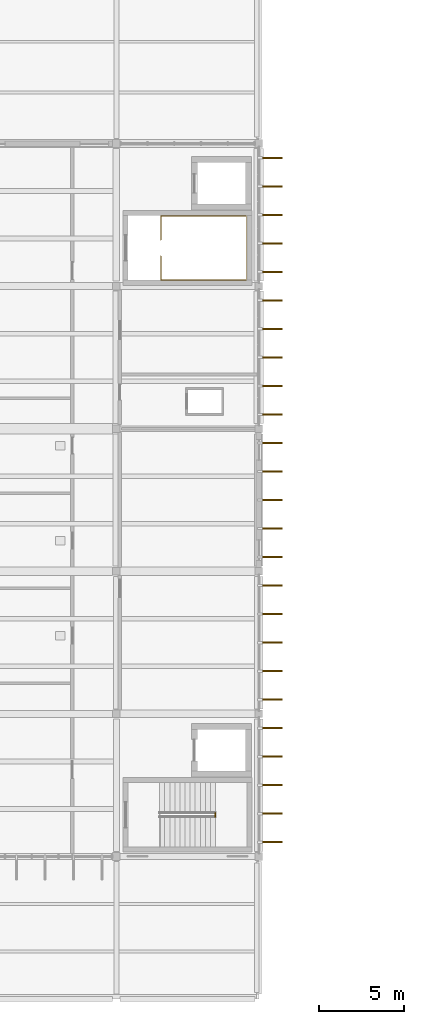
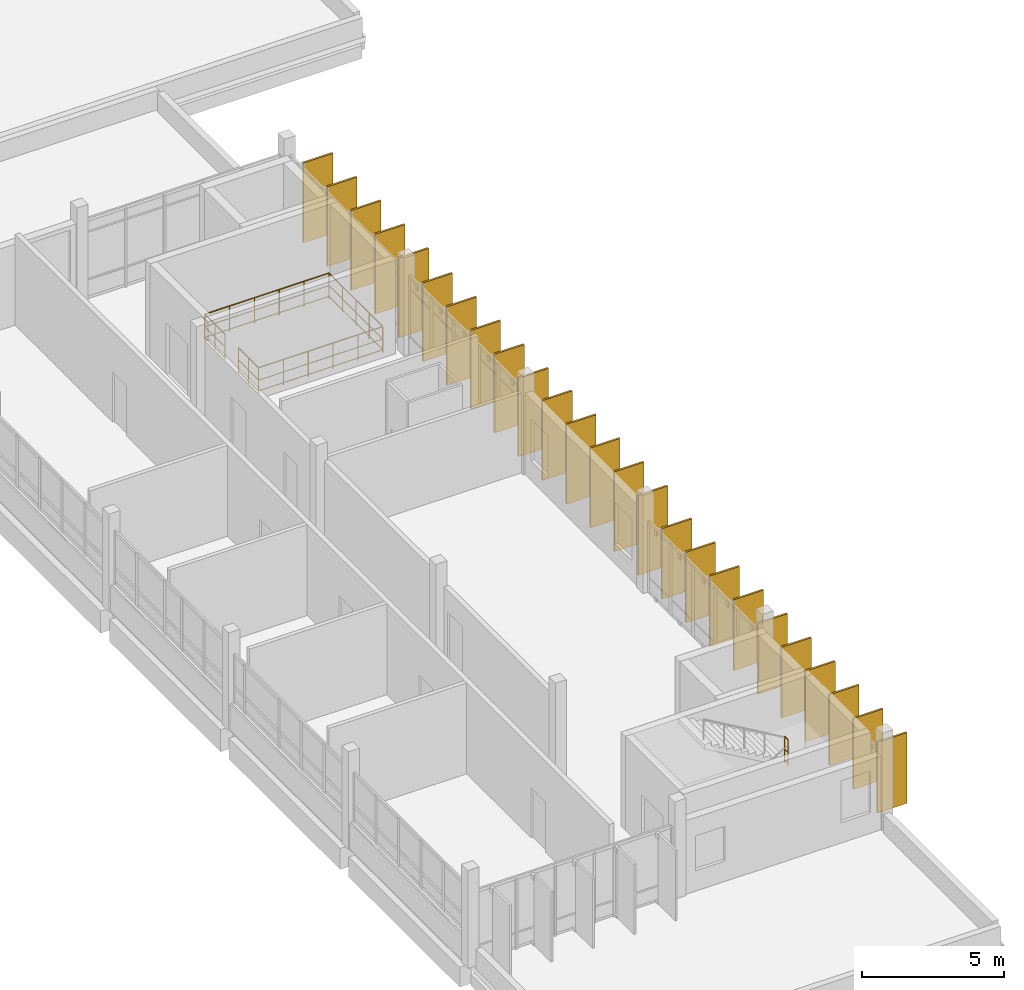
# One storey, part 60 of 62: 25 shading devices, 2 railings.
"""IFC4 building model written with IfcOpenShell, lengths in metres."""

from ifc_helpers import new_model, si_unit, direction, frame, origin, origin_2d, place, context, subcontext, project, spatial, rectangle, circle, extrude, material, material_profile, profile_set, type_object, element, save


model = new_model("IFC4")

# Units and contexts
model_context = context("Model", 3, precision=1e-05, world=origin(), true_north=direction((0.0, 1.0)))
body_context = subcontext(model_context, "Body", "Model", "MODEL_VIEW")
ifc_project = project(units=[si_unit("LENGTHUNIT", "METRE"), si_unit("AREAUNIT", "SQUARE_METRE"), si_unit("VOLUMEUNIT", "CUBIC_METRE"), si_unit("PLANEANGLEUNIT", "RADIAN"), si_unit("MASSUNIT", "GRAM", prefix="KILO")], contexts=[model_context])

# Site, building, storey
site_placement = place(None, origin())
site = spatial("IfcSite", under=ifc_project, at=site_placement, CompositionType="ELEMENT")
building_placement = place(site_placement, origin())
building = spatial("IfcBuilding", under=site, at=building_placement, Name="Vireocrest Preparatory School", CompositionType="ELEMENT")
storey_placement = place(building_placement, frame((0.0, 0.0, 17.39990234375)))
storey = spatial("IfcBuildingStorey", under=building, at=storey_placement, Name="L04", CompositionType="ELEMENT", Elevation=17.39990234375)

# Railings
ifc_material_1 = material(Name="Brushed stainless steel AISI 316", Category="steel")
railing_type = type_object("IfcRailingType", Name="Post-and-Rail Guard Balustrade 1120", PredefinedType="BALUSTRADE", material=ifc_material_1)
railing_1_placement = place(storey_placement, frame((106.6298828125, 46.1298828125, 2.10009765625)))
element("IfcRailing", 1, at=railing_1_placement, inside=storey, type_object=railing_type, Name="Half-Landing Well Guard ST2-L04", PredefinedType="BALUSTRADE", context=body_context, shape_type="SweptSolid", body=[
    extrude(circle(Radius=0.02392578125, at=origin_2d()), frame((0.0, 0.0, 1.09619140625), z_axis=(0.0, 1.0, 0.0), x_axis=(-1.0, 0.0, 0.0)), (0.0, 0.0, 1.0), 0.240234375),
    extrude(circle(Radius=0.01806640625, at=origin_2d()), frame((0.0, 0.0, 0.56005859375), z_axis=(0.0, 1.0, 0.0), x_axis=(-1.0, 0.0, 0.0)), (0.0, 0.0, 1.0), 0.240234375),
    extrude(circle(Radius=0.01806640625, at=origin_2d()), frame((0.0, 0.0, 0.10009765625), z_axis=(0.0, 1.0, 0.0), x_axis=(-1.0, 0.0, 0.0)), (0.0, 0.0, 1.0), 0.240234375),
    extrude(circle(Radius=0.02099609375, at=origin_2d()), origin(), (0.0, 0.0, 1.0), 1.072021484375),
    extrude(circle(Radius=0.02099609375, at=origin_2d()), frame((0.0, 0.240234375, 0.0)), (0.0, 0.0, 1.0), 1.072021484375),
])
railing_2_placement = place(storey_placement, frame((103.425048828125, 80.1201171875, 0.0)))
element("IfcRailing", 2, at=railing_2_placement, inside=storey, type_object=railing_type, Name="Top Stairwell Perimeter Guard ST4 L04", PredefinedType="BALUSTRADE", context=body_context, shape_type="SweptSolid", body=[
    extrude(circle(Radius=0.02392578125, at=origin_2d()), frame((0.0, 0.0, 1.09619140625), z_axis=(0.0, 1.0, 0.0), x_axis=(-1.0, 0.0, 0.0)), (0.0, 0.0, 1.0), 1.419921875),
    extrude(circle(Radius=0.01806640625, at=origin_2d()), frame((0.0, 0.0, 0.56005859375), z_axis=(0.0, 1.0, 0.0), x_axis=(-1.0, 0.0, 0.0)), (0.0, 0.0, 1.0), 1.419921875),
    extrude(circle(Radius=0.01806640625, at=origin_2d()), frame((0.0, 0.0, 0.10009765625), z_axis=(0.0, 1.0, 0.0), x_axis=(-1.0, 0.0, 0.0)), (0.0, 0.0, 1.0), 1.419921875),
    extrude(circle(Radius=0.02392578125, at=origin_2d()), frame((0.0, 1.419921875, 1.09619140625), z_axis=(1.0, 0.0, 0.0), x_axis=(0.0, 1.0, 0.0)), (0.0, 0.0, 1.0), 5.034912109375),
    extrude(circle(Radius=0.01806640625, at=origin_2d()), frame((0.0, 1.419921875, 0.56005859375), z_axis=(1.0, 0.0, 0.0), x_axis=(0.0, 1.0, 0.0)), (0.0, 0.0, 1.0), 5.034912109375),
    extrude(circle(Radius=0.01806640625, at=origin_2d()), frame((0.0, 1.419921875, 0.10009765625), z_axis=(1.0, 0.0, 0.0), x_axis=(0.0, 1.0, 0.0)), (0.0, 0.0, 1.0), 5.034912109375),
    extrude(circle(Radius=0.02392578125, at=origin_2d()), frame((5.034912109375, 1.419921875, 1.09619140625), z_axis=(0.0, -1.0, 0.0), x_axis=(1.0, 0.0, 0.0)), (0.0, 0.0, 1.0), 3.780029296875),
    extrude(circle(Radius=0.01806640625, at=origin_2d()), frame((5.034912109375, 1.419921875, 0.56005859375), z_axis=(0.0, -1.0, 0.0), x_axis=(1.0, 0.0, 0.0)), (0.0, 0.0, 1.0), 3.780029296875),
    extrude(circle(Radius=0.01806640625, at=origin_2d()), frame((5.034912109375, 1.419921875, 0.10009765625), z_axis=(0.0, -1.0, 0.0), x_axis=(1.0, 0.0, 0.0)), (0.0, 0.0, 1.0), 3.780029296875),
    extrude(circle(Radius=0.02392578125, at=origin_2d()), frame((5.034912109375, -2.360107421875, 1.09619140625), z_axis=(-1.0, 0.0, 0.0), x_axis=(0.0, -1.0, 0.0)), (0.0, 0.0, 1.0), 5.034912109375),
    extrude(circle(Radius=0.01806640625, at=origin_2d()), frame((5.034912109375, -2.360107421875, 0.56005859375), z_axis=(-1.0, 0.0, 0.0), x_axis=(0.0, -1.0, 0.0)), (0.0, 0.0, 1.0), 5.034912109375),
    extrude(circle(Radius=0.01806640625, at=origin_2d()), frame((5.034912109375, -2.360107421875, 0.10009765625), z_axis=(-1.0, 0.0, 0.0), x_axis=(0.0, -1.0, 0.0)), (0.0, 0.0, 1.0), 5.034912109375),
    extrude(circle(Radius=0.02392578125, at=origin_2d()), frame((0.0, -2.360107421875, 1.09619140625), z_axis=(0.0, 1.0, 0.0), x_axis=(-1.0, 0.0, 0.0)), (0.0, 0.0, 1.0), 1.419921875),
    extrude(circle(Radius=0.01806640625, at=origin_2d()), frame((0.0, -2.360107421875, 0.56005859375), z_axis=(0.0, 1.0, 0.0), x_axis=(-1.0, 0.0, 0.0)), (0.0, 0.0, 1.0), 1.419921875),
    extrude(circle(Radius=0.01806640625, at=origin_2d()), frame((0.0, -2.360107421875, 0.10009765625), z_axis=(0.0, 1.0, 0.0), x_axis=(-1.0, 0.0, 0.0)), (0.0, 0.0, 1.0), 1.419921875),
    extrude(circle(Radius=0.02099609375, at=origin_2d()), origin(), (0.0, 0.0, 1.0), 1.072021484375),
    extrude(circle(Radius=0.02099609375, at=origin_2d()), frame((0.0, 0.7099609375, 0.0)), (0.0, 0.0, 1.0), 1.072021484375),
    extrude(circle(Radius=0.02099609375, at=origin_2d()), frame((0.0, 1.419921875, 0.0)), (0.0, 0.0, 1.0), 1.072021484375),
    extrude(circle(Radius=0.02099609375, at=origin_2d()), frame((1.007080078125, 1.419921875, 0.0)), (0.0, 0.0, 1.0), 1.072021484375),
    extrude(circle(Radius=0.02099609375, at=origin_2d()), frame((2.013916015625, 1.419921875, 0.0)), (0.0, 0.0, 1.0), 1.072021484375),
    extrude(circle(Radius=0.02099609375, at=origin_2d()), frame((3.02099609375, 1.419921875, 0.0)), (0.0, 0.0, 1.0), 1.072021484375),
    extrude(circle(Radius=0.02099609375, at=origin_2d()), frame((4.02783203125, 1.419921875, 0.0)), (0.0, 0.0, 1.0), 1.072021484375),
    extrude(circle(Radius=0.02099609375, at=origin_2d()), frame((5.034912109375, 1.419921875, 0.0)), (0.0, 0.0, 1.0), 1.072021484375),
    extrude(circle(Radius=0.02099609375, at=origin_2d()), frame((5.034912109375, 0.474853515625, 0.0)), (0.0, 0.0, 1.0), 1.072021484375),
    extrude(circle(Radius=0.02099609375, at=origin_2d()), frame((5.034912109375, -0.47021484375, 0.0)), (0.0, 0.0, 1.0), 1.072021484375),
    extrude(circle(Radius=0.02099609375, at=origin_2d()), frame((5.034912109375, -1.4150390625, 0.0)), (0.0, 0.0, 1.0), 1.072021484375),
    extrude(circle(Radius=0.02099609375, at=origin_2d()), frame((5.034912109375, -2.360107421875, 0.0)), (0.0, 0.0, 1.0), 1.072021484375),
    extrude(circle(Radius=0.02099609375, at=origin_2d()), frame((4.02783203125, -2.360107421875, 0.0)), (0.0, 0.0, 1.0), 1.072021484375),
    extrude(circle(Radius=0.02099609375, at=origin_2d()), frame((3.02099609375, -2.360107421875, 0.0)), (0.0, 0.0, 1.0), 1.072021484375),
    extrude(circle(Radius=0.02099609375, at=origin_2d()), frame((2.013916015625, -2.360107421875, 0.0)), (0.0, 0.0, 1.0), 1.072021484375),
    extrude(circle(Radius=0.02099609375, at=origin_2d()), frame((1.007080078125, -2.360107421875, 0.0)), (0.0, 0.0, 1.0), 1.072021484375),
    extrude(circle(Radius=0.02099609375, at=origin_2d()), frame((0.0, -2.360107421875, 0.0)), (0.0, 0.0, 1.0), 1.072021484375),
    extrude(circle(Radius=0.02099609375, at=origin_2d()), frame((0.0, -1.650146484375, 0.0)), (0.0, 0.0, 1.0), 1.072021484375),
    extrude(circle(Radius=0.02099609375, at=origin_2d()), frame((0.0, -0.940185546875, 0.0)), (0.0, 0.0, 1.0), 1.072021484375),
])

# Shading devices
ifc_material_2 = material(Name="Warm anodised aluminium EN AW-6063-T6", Category="aluminium")
ifc_material_profile = material_profile(ifc_material_2, rectangle(XDim=0.080078125, YDim=1.199951171875, at=origin_2d()), Name="FIN 80x1200")
ifc_profile_set = profile_set([ifc_material_profile], Name="Warm anodised aluminium EN AW-6063-T6")
shading_device_type = type_object("IfcShadingDeviceType", Name="Vertical Anodised Aluminium Solar Fin 1200", PredefinedType="USERDEFINED", material=ifc_profile_set)
for number, where, z_axis, x_axis, name in (
    (3, (109.97998046875, 44.639892578125, 0.02001953125), (0.0, 0.0, 1.0), (0.0, -1.0, 0.0), "Vertical Solar Fin FN1 L04-57-1"),
    (4, (109.97998046875, 46.320068359375, 0.02001953125), (0.0, 0.0, 1.0), (0.0, -1.0, 0.0), "Vertical Solar Fin FN1 L04-57-2"),
    (5, (109.97998046875, 48.0, 0.02001953125), (0.0, 0.0, 1.0), (0.0, -1.0, 0.0), "Vertical Solar Fin FN1 L04-57-3"),
    (6, (109.97998046875, 49.679931640625, 0.02001953125), (0.0, 0.0, 1.0), (0.0, -1.0, 0.0), "Vertical Solar Fin FN1 L04-57-4"),
    (7, (109.97998046875, 51.360107421875, 0.02001953125), (0.0, 0.0, 1.0), (0.0, -1.0, 0.0), "Vertical Solar Fin FN1 L04-57-5"),
    (8, (109.97998046875, 53.0400390625, 0.02001953125), (0.0, 0.0, 1.0), (0.0, -1.0, 0.0), "Vertical Solar Fin FN1 L04-58-1"),
    (9, (109.97998046875, 54.719970703125, 0.02001953125), (0.0, 0.0, 1.0), (0.0, -1.0, 0.0), "Vertical Solar Fin FN1 L04-58-2"),
    (10, (109.97998046875, 56.39990234375, 0.02001953125), (0.0, 0.0, 1.0), (0.0, -1.0, 0.0), "Vertical Solar Fin FN1 L04-58-3"),
    (11, (109.97998046875, 58.080078125, 0.02001953125), (0.0, 0.0, 1.0), (0.0, -1.0, 0.0), "Vertical Solar Fin FN1 L04-58-4"),
    (12, (109.97998046875, 59.760009765625, 0.02001953125), (0.0, 0.0, 1.0), (0.0, -1.0, 0.0), "Vertical Solar Fin FN1 L04-58-5"),
):
    element("IfcShadingDevice", number, at=place(storey_placement, frame(where, z_axis=z_axis, x_axis=x_axis)), inside=storey, type_object=shading_device_type, Name=name, ObjectType="FIN", PredefinedType="USERDEFINED", context=body_context, shape_type="SweptSolid", body=[
        extrude(rectangle(XDim=0.080078125, YDim=1.199951171875, at=origin_2d()), origin(), (0.0, 0.0, 1.0), 3.030029296875),
    ])
for number, where, z_axis, x_axis, name in (
    (13, (109.97998046875, 61.43994140625, 0.02001953125), (0.0, 0.0, 1.0), (0.0, -1.0, 0.0), "Vertical Solar Fin FN1 L04-59-1"),
    (14, (109.97998046875, 63.1201171875, 0.02001953125), (0.0, 0.0, 1.0), (0.0, -1.0, 0.0), "Vertical Solar Fin FN1 L04-59-2"),
    (15, (109.97998046875, 64.800048828125, 0.02001953125), (0.0, 0.0, 1.0), (0.0, -1.0, 0.0), "Vertical Solar Fin FN1 L04-59-3"),
    (16, (109.97998046875, 66.47998046875, 0.02001953125), (0.0, 0.0, 1.0), (0.0, -1.0, 0.0), "Vertical Solar Fin FN1 L04-59-4"),
    (17, (109.97998046875, 68.159912109375, 0.02001953125), (0.0, 0.0, 1.0), (0.0, -1.0, 0.0), "Vertical Solar Fin FN1 L04-59-5"),
):
    element("IfcShadingDevice", number, at=place(storey_placement, frame(where, z_axis=z_axis, x_axis=x_axis)), inside=storey, type_object=shading_device_type, Name=name, ObjectType="FIN", PredefinedType="USERDEFINED", context=body_context, shape_type="SweptSolid", body=[
        extrude(rectangle(XDim=0.080078125, YDim=1.199951171875, at=origin_2d()), origin(), (0.0, 0.0, 1.0), 3.420166015625),
    ])
for number, where, z_axis, x_axis, name in (
    (18, (109.97998046875, 69.840087890625, 0.02001953125), (0.0, 0.0, 1.0), (0.0, -1.0, 0.0), "Vertical Solar Fin FN1 L04-60-1"),
    (19, (109.97998046875, 71.52001953125, 0.02001953125), (0.0, 0.0, 1.0), (0.0, -1.0, 0.0), "Vertical Solar Fin FN1 L04-60-2"),
    (20, (109.97998046875, 73.199951171875, 0.02001953125), (0.0, 0.0, 1.0), (0.0, -1.0, 0.0), "Vertical Solar Fin FN1 L04-60-3"),
    (21, (109.97998046875, 74.8798828125, 0.02001953125), (0.0, 0.0, 1.0), (0.0, -1.0, 0.0), "Vertical Solar Fin FN1 L04-60-4"),
    (22, (109.97998046875, 76.56005859375, 0.02001953125), (0.0, 0.0, 1.0), (0.0, -1.0, 0.0), "Vertical Solar Fin FN1 L04-60-5"),
):
    element("IfcShadingDevice", number, at=place(storey_placement, frame(where, z_axis=z_axis, x_axis=x_axis)), inside=storey, type_object=shading_device_type, Name=name, ObjectType="FIN", PredefinedType="USERDEFINED", context=body_context, shape_type="SweptSolid", body=[
        extrude(rectangle(XDim=0.080078125, YDim=1.199951171875, at=origin_2d()), origin(), (0.0, 0.0, 1.0), 3.3701171875),
    ])
for number, where, z_axis, x_axis, name in (
    (23, (109.97998046875, 78.239990234375, 0.02001953125), (0.0, 0.0, 1.0), (0.0, -1.0, 0.0), "Vertical Solar Fin FN1 L04-61-1"),
    (24, (109.97998046875, 79.919921875, 0.02001953125), (0.0, 0.0, 1.0), (0.0, -1.0, 0.0), "Vertical Solar Fin FN1 L04-61-2"),
    (25, (109.97998046875, 81.60009765625, 0.02001953125), (0.0, 0.0, 1.0), (0.0, -1.0, 0.0), "Vertical Solar Fin FN1 L04-61-3"),
    (26, (109.97998046875, 83.280029296875, 0.02001953125), (0.0, 0.0, 1.0), (0.0, -1.0, 0.0), "Vertical Solar Fin FN1 L04-61-4"),
    (27, (109.97998046875, 84.9599609375, 0.02001953125), (0.0, 0.0, 1.0), (0.0, -1.0, 0.0), "Vertical Solar Fin FN1 L04-61-5"),
):
    element("IfcShadingDevice", number, at=place(storey_placement, frame(where, z_axis=z_axis, x_axis=x_axis)), inside=storey, type_object=shading_device_type, Name=name, ObjectType="FIN", PredefinedType="USERDEFINED", context=body_context, shape_type="SweptSolid", body=[
        extrude(rectangle(XDim=0.080078125, YDim=1.199951171875, at=origin_2d()), origin(), (0.0, 0.0, 1.0), 3.420166015625),
    ])

save(model, "model.ifc")
